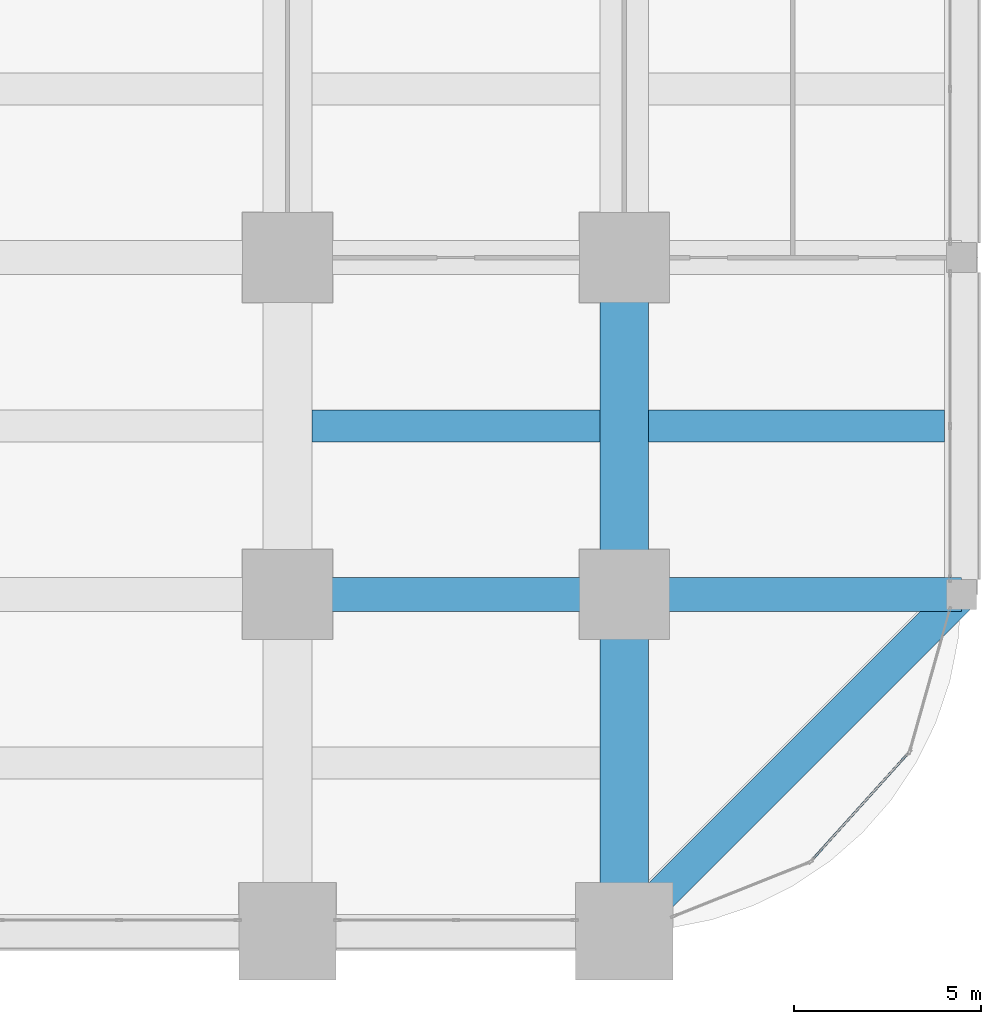
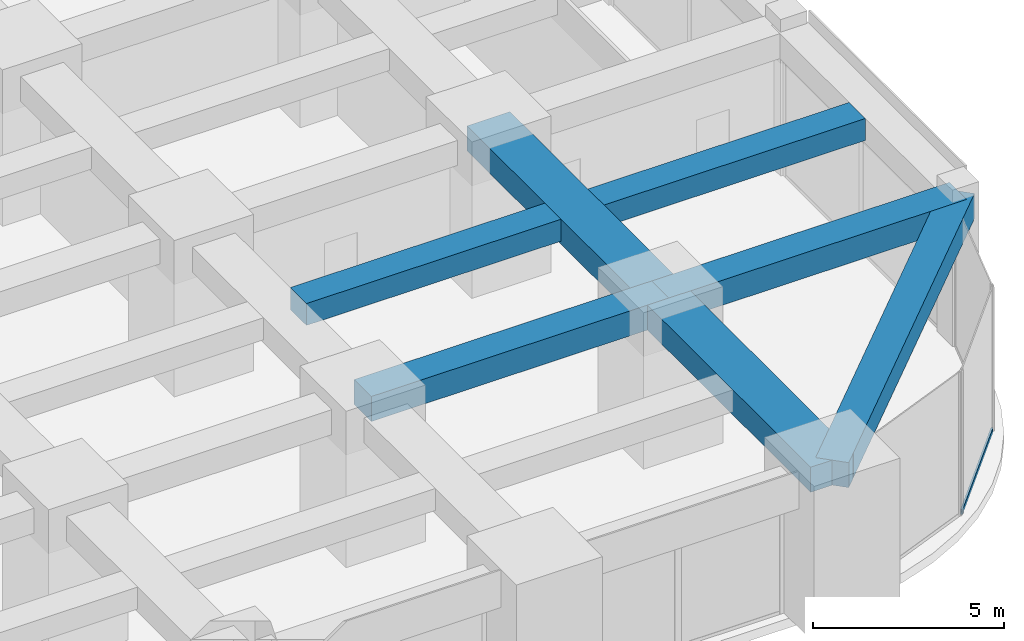
# One storey, part 31 of 46: 7 beams, 1 member, 1 element without a shape of its own.
"""IFC4 building model written with IfcOpenShell, lengths in metres."""

from ifc_helpers import new_model, si_unit, direction, frame, origin, origin_2d, place, context, subcontext, project, spatial, rectangle, hollow_rectangle, extrude, material, material_profile, profile_set, type_object, element, aggregate, save


model = new_model("IFC4")

# Units and contexts
model_context = context("Model", 3, precision=1e-05, world=origin(), true_north=direction((0.0, 1.0)))
body_context = subcontext(model_context, "Body", "Model", "MODEL_VIEW")
ifc_project = project(units=[si_unit("LENGTHUNIT", "METRE"), si_unit("AREAUNIT", "SQUARE_METRE"), si_unit("VOLUMEUNIT", "CUBIC_METRE"), si_unit("PLANEANGLEUNIT", "RADIAN"), si_unit("MASSUNIT", "GRAM", prefix="KILO")], contexts=[model_context])

# Site, building, storey
site_placement = place(None, origin())
site = spatial("IfcSite", under=ifc_project, at=site_placement, CompositionType="ELEMENT")
building_placement = place(site_placement, origin())
building = spatial("IfcBuilding", under=site, at=building_placement, Name="Zorevar Civic Tower", CompositionType="ELEMENT")
storey_placement = place(building_placement, frame((0.0, 0.0, 10.800048828125)))
storey = spatial("IfcBuildingStorey", under=building, at=storey_placement, Name="L02", CompositionType="ELEMENT", Elevation=10.800048828125)

# Beams
ifc_material_1 = material(Name="Concrete C50/60", Category="concrete")
ifc_material_profile_1 = material_profile(ifc_material_1, rectangle(XDim=1.300048828125, YDim=0.800048828125, at=origin_2d()), Name="RC 1300x800")
ifc_profile_set_1 = profile_set([ifc_material_profile_1], Name="Concrete C50/60")
beam_type_1 = type_object("IfcBeamType", Name="Beam RC 1300x800", PredefinedType="BEAM", material=ifc_profile_set_1)
for number, where, z_axis, x_axis, name in (
    (1, (63.0, 0.0, 4.199951171875), (0.0, 1.0, 0.0), (-1.0, 0.0, 0.0), "Girder L03"),
    (2, (63.0, 9.0, 4.199951171875), (0.0, 1.0, 0.0), (-1.0, 0.0, 0.0), "Girder L03"),
):
    element("IfcBeam", number, at=place(storey_placement, frame(where, z_axis=z_axis, x_axis=x_axis)), inside=storey, type_object=beam_type_1, Name=name, PredefinedType="BEAM", context=body_context, shape_type="SweptSolid", body=[
        extrude(rectangle(XDim=1.300048828125, YDim=0.800048828125, at=origin_2d()), origin(), (0.0, 0.0, 1.0), 9.0),
    ])
ifc_material_2 = material(Name="Concrete C50/60", Category="concrete")
ifc_material_profile_2 = material_profile(ifc_material_2, rectangle(XDim=0.85009765625, YDim=0.699951171875, at=origin_2d()), Name="RC 850x700")
ifc_profile_set_2 = profile_set([ifc_material_profile_2], Name="Concrete C50/60")
beam_type_2 = type_object("IfcBeamType", Name="Beam RC 850x700", PredefinedType="BEAM", material=ifc_profile_set_2)
beam_1_placement = place(storey_placement, frame((54.64990234375, 13.5, 4.25), z_axis=(1.0, 0.0, 0.0), x_axis=(0.0, 1.0, 0.0)))
element("IfcBeam", 3, at=beam_1_placement, inside=storey, type_object=beam_type_2, Name="Secondary beam L03", PredefinedType="BEAM", context=body_context, shape_type="SweptSolid", body=[
    extrude(rectangle(XDim=0.85009765625, YDim=0.699951171875, at=origin_2d()), origin(), (0.0, 0.0, 1.0), 7.7001953125),
])
beam_2_placement = place(storey_placement, frame((63.64990234375, 13.5, 4.25), z_axis=(1.0, 0.0, 0.0), x_axis=(0.0, 1.0, 0.0)))
element("IfcBeam", 4, at=beam_2_placement, inside=storey, type_object=beam_type_2, Name="Secondary beam L03", PredefinedType="BEAM", context=body_context, shape_type="SweptSolid", body=[
    extrude(rectangle(XDim=0.85009765625, YDim=0.699951171875, at=origin_2d()), origin(), (0.0, 0.0, 1.0), 7.900146484375),
])
ifc_material_3 = material(Name="Concrete C50/60", Category="concrete")
ifc_material_profile_3 = material_profile(ifc_material_3, rectangle(XDim=0.89990234375, YDim=0.800048828125, at=origin_2d()), Name="RC 900x800")
ifc_profile_set_3 = profile_set([ifc_material_profile_3], Name="Concrete C50/60")
beam_type_3 = type_object("IfcBeamType", Name="Beam RC 900x800", PredefinedType="BEAM", material=ifc_profile_set_3)
for number, where, z_axis, x_axis, name in (
    (5, (54.0, 9.0, 4.199951171875), (1.0, 0.0, 0.0), (0.0, 1.0, 0.0), "Girder L03"),
    (6, (63.0, 9.0, 4.199951171875), (1.0, 0.0, 0.0), (0.0, 1.0, 0.0), "Girder L03"),
):
    element("IfcBeam", number, at=place(storey_placement, frame(where, z_axis=z_axis, x_axis=x_axis)), inside=storey, type_object=beam_type_3, Name=name, PredefinedType="BEAM", context=body_context, shape_type="SweptSolid", body=[
        extrude(rectangle(XDim=0.89990234375, YDim=0.800048828125, at=origin_2d()), origin(), (0.0, 0.0, 1.0), 9.0),
    ])

# Curtain wall, member
ifc_material_4 = material(Name="Dark grey solar-control glass in black aluminium frame", Category="aluminium")
curtain_wall_type = type_object("IfcCurtainWallType", Name="Curtain wall CW1 podium", PredefinedType="NOTDEFINED", material=ifc_material_4)
curtain_wall_placement = place(storey_placement, origin())
curtain_wall = element("IfcCurtainWall", 7, at=curtain_wall_placement, inside=storey, type_object=curtain_wall_type, Name="CW1 L02", PredefinedType="NOTDEFINED")
ifc_material_5 = material(Name="Aluminium, black anodised", Category="aluminium")
ifc_material_profile_4 = material_profile(ifc_material_5, hollow_rectangle(XDim=0.06005859375, YDim=0.14990234375, WallThickness=0.00390625, at=origin_2d()), Name="AL 150x60x4")
ifc_profile_set_4 = profile_set([ifc_material_profile_4], Name="Aluminium, black anodised")
member_type = type_object("IfcMemberType", Name="CW1 transom AL 150x60x4", PredefinedType="USERDEFINED", material=ifc_profile_set_4)
member_placement = place(storey_placement, frame((68.01171875, 1.905029296875, 0.030029296875), z_axis=(0.669390521788, 0.742910714245, 0.0), x_axis=(-0.742910714245, 0.669390521788, 0.0)))
member = element("IfcMember", 8, at=member_placement, type_object=member_type, Name="CW1 sill transom", ObjectType="TRANSOM", PredefinedType="USERDEFINED", context=body_context, shape_type="SweptSolid", body=[
    extrude(hollow_rectangle(XDim=0.06005859375, YDim=0.14990234375, WallThickness=0.00390625, at=origin_2d()), origin(), (0.0, 0.0, 1.0), 3.83203125),
])
aggregate(curtain_wall, [member])

# Beam
ifc_material_6 = material(Name="Concrete C50/60", Category="concrete")
ifc_material_profile_5 = material_profile(ifc_material_6, rectangle(XDim=0.89990234375, YDim=0.800048828125, at=origin_2d()), Name="RC 900x800")
ifc_profile_set_5 = profile_set([ifc_material_profile_5], Name="Concrete C50/60")
beam_type_4 = type_object("IfcBeamType", Name="Edge beam RC 900x800", PredefinedType="SPANDREL", material=ifc_profile_set_5)
beam_3_placement = place(storey_placement, frame((63.0, 0.0, 4.199951171875), z_axis=(0.707106781187, 0.707106781187, 0.0), x_axis=(-0.707106781187, 0.707106781187, 0.0)))
element("IfcBeam", 9, at=beam_3_placement, inside=storey, type_object=beam_type_4, Name="Corner edge beam L03", PredefinedType="SPANDREL", context=body_context, shape_type="SweptSolid", body=[
    extrude(rectangle(XDim=0.89990234375, YDim=0.800048828125, at=origin_2d()), origin(), (0.0, 0.0, 1.0), 12.72802734375),
])

save(model, "model.ifc")
